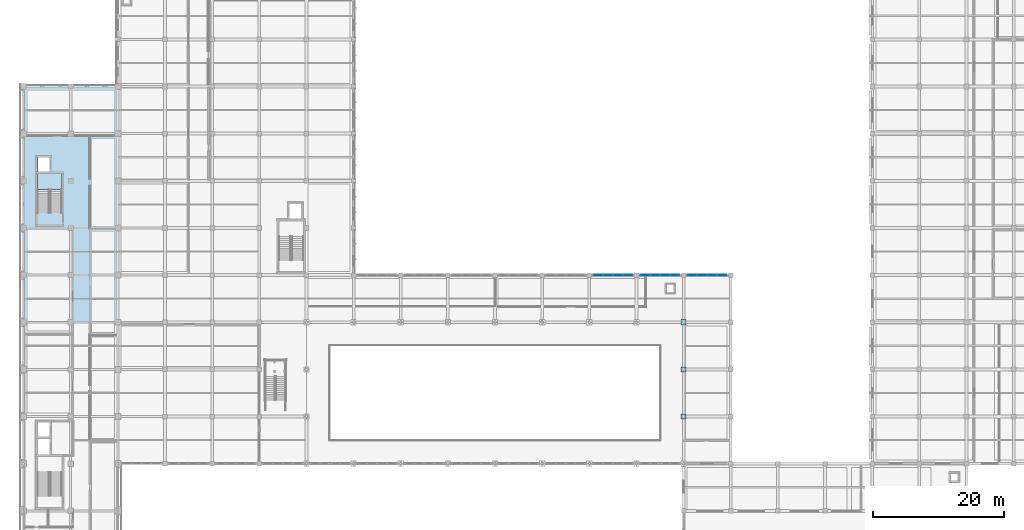
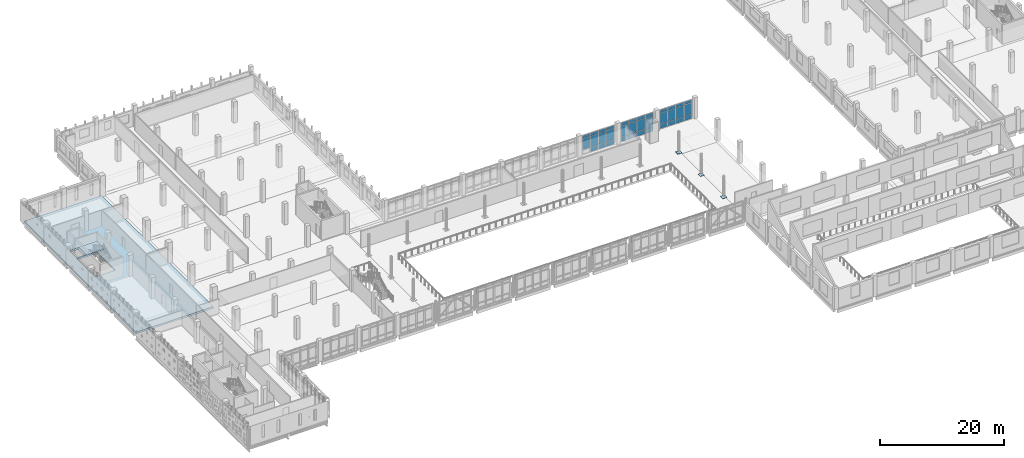
# One storey, part 32 of 62: 38 plates, 2 slabs, 4 elements without a shape of their own.
"""IFC4 building model written with IfcOpenShell, lengths in metres."""

from ifc_helpers import new_model, si_unit, direction, frame, origin, origin_2d, place, context, subcontext, project, spatial, polyline, rectangle, outline, extrude, material, layer, layer_set, type_object, element, aggregate, save


model = new_model("IFC4")

# Units and contexts
model_context = context("Model", 3, precision=1e-05, world=origin(), true_north=direction((0.0, 1.0)))
body_context = subcontext(model_context, "Body", "Model", "MODEL_VIEW")
ifc_project = project(units=[si_unit("LENGTHUNIT", "METRE"), si_unit("AREAUNIT", "SQUARE_METRE"), si_unit("VOLUMEUNIT", "CUBIC_METRE"), si_unit("PLANEANGLEUNIT", "RADIAN"), si_unit("MASSUNIT", "GRAM", prefix="KILO")], contexts=[model_context])

# Site, building, storey
site_placement = place(None, origin())
site = spatial("IfcSite", under=ifc_project, at=site_placement, CompositionType="ELEMENT")
building_placement = place(site_placement, origin())
building = spatial("IfcBuilding", under=site, at=building_placement, Name="Valkovuoma Quantum and Materials Research Institute", CompositionType="ELEMENT")
storey_placement = place(building_placement, frame((0.0, 0.0, 8.9599609375)))
storey = spatial("IfcBuildingStorey", under=building, at=storey_placement, Name="L02", CompositionType="ELEMENT", Elevation=8.9599609375)

# Curtain wall, plates
ifc_material_1 = material(Name="Thermally broken aluminium and triple low-E glazing", Category="aluminium")
ifc_layer_1 = layer(ifc_material_1, 0.219970703125)
ifc_layer_set_1 = layer_set([ifc_layer_1], Name="Thermally broken aluminium and triple low-E glazing")
curtain_wall_type = type_object("IfcCurtainWallType", Name="CW-CW-02", PredefinedType="NOTDEFINED", material=ifc_layer_set_1)
curtain_wall_1_placement = place(storey_placement, origin())
curtain_wall_1 = element("IfcCurtainWall", 1, at=curtain_wall_1_placement, inside=storey, type_object=curtain_wall_type, Name="L02 curtain wall 196", PredefinedType="NOTDEFINED")
ifc_material_2 = material(Name="Triple low-E argon insulating glass", Category="glass")
ifc_layer_2 = layer(ifc_material_2, 0.0419921875)
ifc_layer_set_2 = layer_set([ifc_layer_2], Name="Triple low-E argon insulating glass")
plate_type_1 = type_object("IfcPlateType", Name="CWPanel-CWP-02", PredefinedType="CURTAIN_PANEL", material=ifc_layer_set_2)
plate_1_placement = place(storey_placement, frame((87.7548828125, 64.800048828125, 0.9873046875), z_axis=(0.0, 0.0, 1.0), x_axis=(1.0, 0.0, 0.0)))
plate_1 = element("IfcPlate", 2, at=plate_1_placement, type_object=plate_type_1, Name="CW-02 panel 1.2", PredefinedType="CURTAIN_PANEL", context=body_context, shape_type="SweptSolid", body=[
    extrude(rectangle(XDim=1.389892578125, YDim=0.0419921875, at=origin_2d()), origin(), (0.0, 0.0, 1.0), 2.135009765625),
])
plate_2_placement = place(storey_placement, frame((87.7548828125, 64.800048828125, 3.197509765625), z_axis=(0.0, 0.0, 1.0), x_axis=(1.0, 0.0, 0.0)))
plate_2 = element("IfcPlate", 3, at=plate_2_placement, type_object=plate_type_1, Name="CW-02 panel 1.3", PredefinedType="CURTAIN_PANEL", context=body_context, shape_type="SweptSolid", body=[
    extrude(rectangle(XDim=1.389892578125, YDim=0.0419921875, at=origin_2d()), origin(), (0.0, 0.0, 1.0), 0.53759765625),
])
plate_3_placement = place(storey_placement, frame((89.2451171875, 64.800048828125, 0.0751953125), z_axis=(0.0, 0.0, 1.0), x_axis=(1.0, 0.0, 0.0)))
plate_3 = element("IfcPlate", 4, at=plate_3_placement, type_object=plate_type_1, Name="CW-02 panel 2.1", PredefinedType="CURTAIN_PANEL", context=body_context, shape_type="SweptSolid", body=[
    extrude(rectangle(XDim=1.429931640625, YDim=0.0419921875, at=origin_2d()), origin(), (0.0, 0.0, 1.0), 0.83740234375),
])
plate_4_placement = place(storey_placement, frame((89.2451171875, 64.800048828125, 0.9873046875), z_axis=(0.0, 0.0, 1.0), x_axis=(1.0, 0.0, 0.0)))
plate_4 = element("IfcPlate", 5, at=plate_4_placement, type_object=plate_type_1, Name="CW-02 panel 2.2", PredefinedType="CURTAIN_PANEL", context=body_context, shape_type="SweptSolid", body=[
    extrude(rectangle(XDim=1.429931640625, YDim=0.0419921875, at=origin_2d()), origin(), (0.0, 0.0, 1.0), 2.135009765625),
])
plate_5_placement = place(storey_placement, frame((89.2451171875, 64.800048828125, 3.197509765625), z_axis=(0.0, 0.0, 1.0), x_axis=(1.0, 0.0, 0.0)))
plate_5 = element("IfcPlate", 6, at=plate_5_placement, type_object=plate_type_1, Name="CW-02 panel 2.3", PredefinedType="CURTAIN_PANEL", context=body_context, shape_type="SweptSolid", body=[
    extrude(rectangle(XDim=1.429931640625, YDim=0.0419921875, at=origin_2d()), origin(), (0.0, 0.0, 1.0), 0.53759765625),
])
plate_6_placement = place(storey_placement, frame((90.7548828125, 64.800048828125, 0.0751953125), z_axis=(0.0, 0.0, 1.0), x_axis=(1.0, 0.0, 0.0)))
plate_6 = element("IfcPlate", 7, at=plate_6_placement, type_object=plate_type_1, Name="CW-02 panel 3.1", PredefinedType="CURTAIN_PANEL", context=body_context, shape_type="SweptSolid", body=[
    extrude(rectangle(XDim=1.429931640625, YDim=0.0419921875, at=origin_2d()), origin(), (0.0, 0.0, 1.0), 0.83740234375),
])
plate_7_placement = place(storey_placement, frame((90.7548828125, 64.800048828125, 0.9873046875), z_axis=(0.0, 0.0, 1.0), x_axis=(1.0, 0.0, 0.0)))
plate_7 = element("IfcPlate", 8, at=plate_7_placement, type_object=plate_type_1, Name="CW-02 panel 3.2", PredefinedType="CURTAIN_PANEL", context=body_context, shape_type="SweptSolid", body=[
    extrude(rectangle(XDim=1.429931640625, YDim=0.0419921875, at=origin_2d()), origin(), (0.0, 0.0, 1.0), 2.135009765625),
])
plate_8_placement = place(storey_placement, frame((90.7548828125, 64.800048828125, 3.197509765625), z_axis=(0.0, 0.0, 1.0), x_axis=(1.0, 0.0, 0.0)))
plate_8 = element("IfcPlate", 9, at=plate_8_placement, type_object=plate_type_1, Name="CW-02 panel 3.3", PredefinedType="CURTAIN_PANEL", context=body_context, shape_type="SweptSolid", body=[
    extrude(rectangle(XDim=1.429931640625, YDim=0.0419921875, at=origin_2d()), origin(), (0.0, 0.0, 1.0), 0.53759765625),
])
plate_9_placement = place(storey_placement, frame((92.2451171875, 64.800048828125, 0.0751953125), z_axis=(0.0, 0.0, 1.0), x_axis=(1.0, 0.0, 0.0)))
plate_9 = element("IfcPlate", 10, at=plate_9_placement, type_object=plate_type_1, Name="CW-02 panel 4.1", PredefinedType="CURTAIN_PANEL", context=body_context, shape_type="SweptSolid", body=[
    extrude(rectangle(XDim=1.389892578125, YDim=0.0419921875, at=origin_2d()), origin(), (0.0, 0.0, 1.0), 0.83740234375),
])
plate_10_placement = place(storey_placement, frame((92.2451171875, 64.800048828125, 0.9873046875), z_axis=(0.0, 0.0, 1.0), x_axis=(1.0, 0.0, 0.0)))
plate_10 = element("IfcPlate", 11, at=plate_10_placement, type_object=plate_type_1, Name="CW-02 panel 4.2", PredefinedType="CURTAIN_PANEL", context=body_context, shape_type="SweptSolid", body=[
    extrude(rectangle(XDim=1.389892578125, YDim=0.0419921875, at=origin_2d()), origin(), (0.0, 0.0, 1.0), 2.135009765625),
])
plate_11_placement = place(storey_placement, frame((92.2451171875, 64.800048828125, 3.197509765625), z_axis=(0.0, 0.0, 1.0), x_axis=(1.0, 0.0, 0.0)))
plate_11 = element("IfcPlate", 12, at=plate_11_placement, type_object=plate_type_1, Name="CW-02 panel 4.3", PredefinedType="CURTAIN_PANEL", context=body_context, shape_type="SweptSolid", body=[
    extrude(rectangle(XDim=1.389892578125, YDim=0.0419921875, at=origin_2d()), origin(), (0.0, 0.0, 1.0), 0.53759765625),
])
aggregate(curtain_wall_1, [plate_1, plate_2, plate_3, plate_4, plate_5, plate_6, plate_7, plate_8, plate_9, plate_10, plate_11])

curtain_wall_2_placement = place(storey_placement, origin())
curtain_wall_2 = element("IfcCurtainWall", 13, at=curtain_wall_2_placement, inside=storey, type_object=curtain_wall_type, Name="L02 curtain wall 197", PredefinedType="NOTDEFINED")
plate_12_placement = place(storey_placement, frame((94.955078125, 64.800048828125, 0.0751953125), z_axis=(0.0, 0.0, 1.0), x_axis=(1.0, 0.0, 0.0)))
plate_12 = element("IfcPlate", 14, at=plate_12_placement, type_object=plate_type_1, Name="CW-02 panel 1.1", PredefinedType="CURTAIN_PANEL", context=body_context, shape_type="SweptSolid", body=[
    extrude(rectangle(XDim=1.389892578125, YDim=0.0419921875, at=origin_2d()), origin(), (0.0, 0.0, 1.0), 0.83740234375),
])
plate_13_placement = place(storey_placement, frame((94.955078125, 64.800048828125, 0.9873046875), z_axis=(0.0, 0.0, 1.0), x_axis=(1.0, 0.0, 0.0)))
plate_13 = element("IfcPlate", 15, at=plate_13_placement, type_object=plate_type_1, Name="CW-02 panel 1.2", PredefinedType="CURTAIN_PANEL", context=body_context, shape_type="SweptSolid", body=[
    extrude(rectangle(XDim=1.389892578125, YDim=0.0419921875, at=origin_2d()), origin(), (0.0, 0.0, 1.0), 2.135009765625),
])
plate_14_placement = place(storey_placement, frame((94.955078125, 64.800048828125, 3.197509765625), z_axis=(0.0, 0.0, 1.0), x_axis=(1.0, 0.0, 0.0)))
plate_14 = element("IfcPlate", 16, at=plate_14_placement, type_object=plate_type_1, Name="CW-02 panel 1.3", PredefinedType="CURTAIN_PANEL", context=body_context, shape_type="SweptSolid", body=[
    extrude(rectangle(XDim=1.389892578125, YDim=0.0419921875, at=origin_2d()), origin(), (0.0, 0.0, 1.0), 0.53759765625),
])
plate_15_placement = place(storey_placement, frame((96.445068359375, 64.800048828125, 0.0751953125), z_axis=(0.0, 0.0, 1.0), x_axis=(1.0, 0.0, 0.0)))
plate_15 = element("IfcPlate", 17, at=plate_15_placement, type_object=plate_type_1, Name="CW-02 panel 2.1", PredefinedType="CURTAIN_PANEL", context=body_context, shape_type="SweptSolid", body=[
    extrude(rectangle(XDim=1.429931640625, YDim=0.0419921875, at=origin_2d()), origin(), (0.0, 0.0, 1.0), 0.83740234375),
])
plate_16_placement = place(storey_placement, frame((96.445068359375, 64.800048828125, 0.9873046875), z_axis=(0.0, 0.0, 1.0), x_axis=(1.0, 0.0, 0.0)))
plate_16 = element("IfcPlate", 18, at=plate_16_placement, type_object=plate_type_1, Name="CW-02 panel 2.2", PredefinedType="CURTAIN_PANEL", context=body_context, shape_type="SweptSolid", body=[
    extrude(rectangle(XDim=1.429931640625, YDim=0.0419921875, at=origin_2d()), origin(), (0.0, 0.0, 1.0), 2.135009765625),
])
plate_17_placement = place(storey_placement, frame((96.445068359375, 64.800048828125, 3.197509765625), z_axis=(0.0, 0.0, 1.0), x_axis=(1.0, 0.0, 0.0)))
plate_17 = element("IfcPlate", 19, at=plate_17_placement, type_object=plate_type_1, Name="CW-02 panel 2.3", PredefinedType="CURTAIN_PANEL", context=body_context, shape_type="SweptSolid", body=[
    extrude(rectangle(XDim=1.429931640625, YDim=0.0419921875, at=origin_2d()), origin(), (0.0, 0.0, 1.0), 0.53759765625),
])
plate_18_placement = place(storey_placement, frame((97.955078125, 64.800048828125, 0.0751953125), z_axis=(0.0, 0.0, 1.0), x_axis=(1.0, 0.0, 0.0)))
plate_18 = element("IfcPlate", 20, at=plate_18_placement, type_object=plate_type_1, Name="CW-02 panel 3.1", PredefinedType="CURTAIN_PANEL", context=body_context, shape_type="SweptSolid", body=[
    extrude(rectangle(XDim=1.429931640625, YDim=0.0419921875, at=origin_2d()), origin(), (0.0, 0.0, 1.0), 0.83740234375),
])
plate_19_placement = place(storey_placement, frame((97.955078125, 64.800048828125, 0.9873046875), z_axis=(0.0, 0.0, 1.0), x_axis=(1.0, 0.0, 0.0)))
plate_19 = element("IfcPlate", 21, at=plate_19_placement, type_object=plate_type_1, Name="CW-02 panel 3.2", PredefinedType="CURTAIN_PANEL", context=body_context, shape_type="SweptSolid", body=[
    extrude(rectangle(XDim=1.429931640625, YDim=0.0419921875, at=origin_2d()), origin(), (0.0, 0.0, 1.0), 2.135009765625),
])
plate_20_placement = place(storey_placement, frame((97.955078125, 64.800048828125, 3.197509765625), z_axis=(0.0, 0.0, 1.0), x_axis=(1.0, 0.0, 0.0)))
plate_20 = element("IfcPlate", 22, at=plate_20_placement, type_object=plate_type_1, Name="CW-02 panel 3.3", PredefinedType="CURTAIN_PANEL", context=body_context, shape_type="SweptSolid", body=[
    extrude(rectangle(XDim=1.429931640625, YDim=0.0419921875, at=origin_2d()), origin(), (0.0, 0.0, 1.0), 0.53759765625),
])
plate_21_placement = place(storey_placement, frame((99.445068359375, 64.800048828125, 0.0751953125), z_axis=(0.0, 0.0, 1.0), x_axis=(1.0, 0.0, 0.0)))
plate_21 = element("IfcPlate", 23, at=plate_21_placement, type_object=plate_type_1, Name="CW-02 panel 4.1", PredefinedType="CURTAIN_PANEL", context=body_context, shape_type="SweptSolid", body=[
    extrude(rectangle(XDim=1.389892578125, YDim=0.0419921875, at=origin_2d()), origin(), (0.0, 0.0, 1.0), 0.83740234375),
])
plate_22_placement = place(storey_placement, frame((99.445068359375, 64.800048828125, 0.9873046875), z_axis=(0.0, 0.0, 1.0), x_axis=(1.0, 0.0, 0.0)))
plate_22 = element("IfcPlate", 24, at=plate_22_placement, type_object=plate_type_1, Name="CW-02 panel 4.2", PredefinedType="CURTAIN_PANEL", context=body_context, shape_type="SweptSolid", body=[
    extrude(rectangle(XDim=1.389892578125, YDim=0.0419921875, at=origin_2d()), origin(), (0.0, 0.0, 1.0), 2.135009765625),
])
plate_23_placement = place(storey_placement, frame((99.445068359375, 64.800048828125, 3.197509765625), z_axis=(0.0, 0.0, 1.0), x_axis=(1.0, 0.0, 0.0)))
plate_23 = element("IfcPlate", 25, at=plate_23_placement, type_object=plate_type_1, Name="CW-02 panel 4.3", PredefinedType="CURTAIN_PANEL", context=body_context, shape_type="SweptSolid", body=[
    extrude(rectangle(XDim=1.389892578125, YDim=0.0419921875, at=origin_2d()), origin(), (0.0, 0.0, 1.0), 0.53759765625),
])
aggregate(curtain_wall_2, [plate_12, plate_13, plate_14, plate_15, plate_16, plate_17, plate_18, plate_19, plate_20, plate_21, plate_22, plate_23])

curtain_wall_3_placement = place(storey_placement, origin())
curtain_wall_3 = element("IfcCurtainWall", 26, at=curtain_wall_3_placement, inside=storey, type_object=curtain_wall_type, Name="L02 curtain wall 198", PredefinedType="NOTDEFINED")
plate_24_placement = place(storey_placement, frame((102.155029296875, 64.800048828125, 0.0751953125), z_axis=(0.0, 0.0, 1.0), x_axis=(1.0, 0.0, 0.0)))
plate_24 = element("IfcPlate", 27, at=plate_24_placement, type_object=plate_type_1, Name="CW-02 panel 1.1", PredefinedType="CURTAIN_PANEL", context=body_context, shape_type="SweptSolid", body=[
    extrude(rectangle(XDim=1.389892578125, YDim=0.0419921875, at=origin_2d()), origin(), (0.0, 0.0, 1.0), 0.83740234375),
])
plate_25_placement = place(storey_placement, frame((102.155029296875, 64.800048828125, 0.9873046875), z_axis=(0.0, 0.0, 1.0), x_axis=(1.0, 0.0, 0.0)))
plate_25 = element("IfcPlate", 28, at=plate_25_placement, type_object=plate_type_1, Name="CW-02 panel 1.2", PredefinedType="CURTAIN_PANEL", context=body_context, shape_type="SweptSolid", body=[
    extrude(rectangle(XDim=1.389892578125, YDim=0.0419921875, at=origin_2d()), origin(), (0.0, 0.0, 1.0), 2.135009765625),
])
plate_26_placement = place(storey_placement, frame((102.155029296875, 64.800048828125, 3.197509765625), z_axis=(0.0, 0.0, 1.0), x_axis=(1.0, 0.0, 0.0)))
plate_26 = element("IfcPlate", 29, at=plate_26_placement, type_object=plate_type_1, Name="CW-02 panel 1.3", PredefinedType="CURTAIN_PANEL", context=body_context, shape_type="SweptSolid", body=[
    extrude(rectangle(XDim=1.389892578125, YDim=0.0419921875, at=origin_2d()), origin(), (0.0, 0.0, 1.0), 0.53759765625),
])
plate_27_placement = place(storey_placement, frame((103.64501953125, 64.800048828125, 0.0751953125), z_axis=(0.0, 0.0, 1.0), x_axis=(1.0, 0.0, 0.0)))
plate_27 = element("IfcPlate", 30, at=plate_27_placement, type_object=plate_type_1, Name="CW-02 panel 2.1", PredefinedType="CURTAIN_PANEL", context=body_context, shape_type="SweptSolid", body=[
    extrude(rectangle(XDim=1.429931640625, YDim=0.0419921875, at=origin_2d()), origin(), (0.0, 0.0, 1.0), 0.83740234375),
])
plate_28_placement = place(storey_placement, frame((103.64501953125, 64.800048828125, 0.9873046875), z_axis=(0.0, 0.0, 1.0), x_axis=(1.0, 0.0, 0.0)))
plate_28 = element("IfcPlate", 31, at=plate_28_placement, type_object=plate_type_1, Name="CW-02 panel 2.2", PredefinedType="CURTAIN_PANEL", context=body_context, shape_type="SweptSolid", body=[
    extrude(rectangle(XDim=1.429931640625, YDim=0.0419921875, at=origin_2d()), origin(), (0.0, 0.0, 1.0), 2.135009765625),
])
plate_29_placement = place(storey_placement, frame((103.64501953125, 64.800048828125, 3.197509765625), z_axis=(0.0, 0.0, 1.0), x_axis=(1.0, 0.0, 0.0)))
plate_29 = element("IfcPlate", 32, at=plate_29_placement, type_object=plate_type_1, Name="CW-02 panel 2.3", PredefinedType="CURTAIN_PANEL", context=body_context, shape_type="SweptSolid", body=[
    extrude(rectangle(XDim=1.429931640625, YDim=0.0419921875, at=origin_2d()), origin(), (0.0, 0.0, 1.0), 0.53759765625),
])
plate_30_placement = place(storey_placement, frame((105.155029296875, 64.800048828125, 0.0751953125), z_axis=(0.0, 0.0, 1.0), x_axis=(1.0, 0.0, 0.0)))
plate_30 = element("IfcPlate", 33, at=plate_30_placement, type_object=plate_type_1, Name="CW-02 panel 3.1", PredefinedType="CURTAIN_PANEL", context=body_context, shape_type="SweptSolid", body=[
    extrude(rectangle(XDim=1.429931640625, YDim=0.0419921875, at=origin_2d()), origin(), (0.0, 0.0, 1.0), 0.83740234375),
])
plate_31_placement = place(storey_placement, frame((105.155029296875, 64.800048828125, 0.9873046875), z_axis=(0.0, 0.0, 1.0), x_axis=(1.0, 0.0, 0.0)))
plate_31 = element("IfcPlate", 34, at=plate_31_placement, type_object=plate_type_1, Name="CW-02 panel 3.2", PredefinedType="CURTAIN_PANEL", context=body_context, shape_type="SweptSolid", body=[
    extrude(rectangle(XDim=1.429931640625, YDim=0.0419921875, at=origin_2d()), origin(), (0.0, 0.0, 1.0), 2.135009765625),
])
plate_32_placement = place(storey_placement, frame((105.155029296875, 64.800048828125, 3.197509765625), z_axis=(0.0, 0.0, 1.0), x_axis=(1.0, 0.0, 0.0)))
plate_32 = element("IfcPlate", 35, at=plate_32_placement, type_object=plate_type_1, Name="CW-02 panel 3.3", PredefinedType="CURTAIN_PANEL", context=body_context, shape_type="SweptSolid", body=[
    extrude(rectangle(XDim=1.429931640625, YDim=0.0419921875, at=origin_2d()), origin(), (0.0, 0.0, 1.0), 0.53759765625),
])
plate_33_placement = place(storey_placement, frame((106.64501953125, 64.800048828125, 0.0751953125), z_axis=(0.0, 0.0, 1.0), x_axis=(1.0, 0.0, 0.0)))
plate_33 = element("IfcPlate", 36, at=plate_33_placement, type_object=plate_type_1, Name="CW-02 panel 4.1", PredefinedType="CURTAIN_PANEL", context=body_context, shape_type="SweptSolid", body=[
    extrude(rectangle(XDim=1.389892578125, YDim=0.0419921875, at=origin_2d()), origin(), (0.0, 0.0, 1.0), 0.83740234375),
])
plate_34_placement = place(storey_placement, frame((106.64501953125, 64.800048828125, 0.9873046875), z_axis=(0.0, 0.0, 1.0), x_axis=(1.0, 0.0, 0.0)))
plate_34 = element("IfcPlate", 37, at=plate_34_placement, type_object=plate_type_1, Name="CW-02 panel 4.2", PredefinedType="CURTAIN_PANEL", context=body_context, shape_type="SweptSolid", body=[
    extrude(rectangle(XDim=1.389892578125, YDim=0.0419921875, at=origin_2d()), origin(), (0.0, 0.0, 1.0), 2.135009765625),
])
plate_35_placement = place(storey_placement, frame((106.64501953125, 64.800048828125, 3.197509765625), z_axis=(0.0, 0.0, 1.0), x_axis=(1.0, 0.0, 0.0)))
plate_35 = element("IfcPlate", 38, at=plate_35_placement, type_object=plate_type_1, Name="CW-02 panel 4.3", PredefinedType="CURTAIN_PANEL", context=body_context, shape_type="SweptSolid", body=[
    extrude(rectangle(XDim=1.389892578125, YDim=0.0419921875, at=origin_2d()), origin(), (0.0, 0.0, 1.0), 0.53759765625),
])
aggregate(curtain_wall_3, [plate_24, plate_25, plate_26, plate_27, plate_28, plate_29, plate_30, plate_31, plate_32, plate_33, plate_34, plate_35])

# Plates
ifc_material_3 = material(Name="Steel S355J2", Category="steel")
plate_type_2 = type_object("IfcPlateType", Name="Plate-PL-BAS2", PredefinedType="USERDEFINED", material=ifc_material_3)
for number, where, z_axis, x_axis, name in (
    (39, (100.800048828125, 43.199951171875, 0.0), (0.0, 0.0, 1.0), (1.0, 0.0, 0.0), "L02 base plate 15G"),
    (40, (100.800048828125, 50.39990234375, 0.0), (0.0, 0.0, 1.0), (1.0, 0.0, 0.0), "L02 base plate 15H"),
    (41, (100.800048828125, 57.60009765625, 0.0), (0.0, 0.0, 1.0), (1.0, 0.0, 0.0), "L02 base plate 15J"),
):
    element("IfcPlate", number, at=place(storey_placement, frame(where, z_axis=z_axis, x_axis=x_axis)), inside=storey, type_object=plate_type_2, Name=name, ObjectType="BASE_PLATE", PredefinedType="USERDEFINED", context=body_context, shape_type="SweptSolid", body=[
        extrude(rectangle(XDim=0.800048828125, YDim=0.800048828125, at=origin_2d()), origin(), (0.0, 0.0, 1.0), 0.030029296875),
    ])

# Slab
ifc_material_4 = material(Name="Concrete C40/50", Category="concrete")
ifc_layer_3 = layer(ifc_material_4, 0.35009765625)
ifc_layer_set_3 = layer_set([ifc_layer_3], Name="Concrete C40/50")
slab_type_1 = type_object("IfcSlabType", Name="Slab-SL-FL350", PredefinedType="FLOOR", material=ifc_layer_set_3)
slab_1_placement = place(storey_placement, frame((0.0, 0.0, -0.349853515625)))
element("IfcSlab", 42, at=slab_1_placement, inside=storey, type_object=slab_type_1, Name="L02 vol5_drylab structural slab 2", PredefinedType="FLOOR", context=body_context, shape_type="SweptSolid", body=[
    extrude(outline(polyline([(0.0, 57.60009765625), (14.39990234375, 57.60009765625), (14.39990234375, 93.60009765625), (0.0, 93.60009765625), (0.0, 57.60009765625)]), holes=[polyline([(2.10009765625, 74.360107421875), (5.85009765625, 74.360107421875), (5.85009765625, 80.300048828125), (2.10009765625, 80.300048828125), (2.10009765625, 74.360107421875)]), polyline([(2.219970703125, 80.52001953125), (3.97998046875, 80.52001953125), (3.97998046875, 82.780029296875), (2.219970703125, 82.780029296875), (2.219970703125, 80.52001953125)])]), origin(), (0.0, 0.0, 1.0), 0.349853515625),
])

# Stair, slab
ifc_material_5 = material(Name="Concrete C40/50", Category="concrete")
stair_type = type_object("IfcStairType", Name="Stair-ST-COR", PredefinedType="HALF_TURN_STAIR", material=ifc_material_5)
stair_placement = place(storey_placement, origin())
stair = element("IfcStair", 43, at=stair_placement, inside=storey, type_object=stair_type, Name="L02 Exit Stair ST-2", PredefinedType="HALF_TURN_STAIR")
ifc_material_6 = material(Name="Concrete C40/50", Category="concrete")
ifc_layer_4 = layer(ifc_material_6, 0.199951171875)
ifc_layer_set_4 = layer_set([ifc_layer_4], Name="Concrete C40/50")
slab_type_2 = type_object("IfcSlabType", Name="Slab-SL-LND200", PredefinedType="LANDING", material=ifc_layer_set_4)
slab_2_placement = place(storey_placement, frame((0.0, 0.0, 1.880126953125)))
slab_2 = element("IfcSlab", 44, at=slab_2_placement, type_object=slab_type_2, Name="ST-2 landing 1", PredefinedType="LANDING", context=body_context, shape_type="SweptSolid", body=[
    extrude(outline(polyline([(5.85009765625, 77.89990234375), (5.85009765625, 80.300048828125), (2.10009765625, 80.300048828125), (2.10009765625, 77.89990234375), (5.85009765625, 77.89990234375)])), origin(), (0.0, 0.0, 1.0), 0.199951171875),
])
aggregate(stair, [slab_2])

save(model, "model.ifc")
